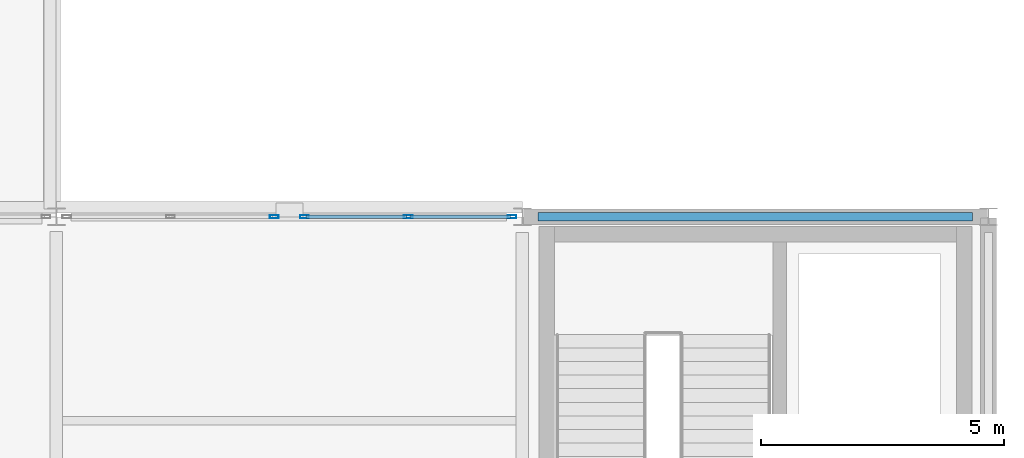
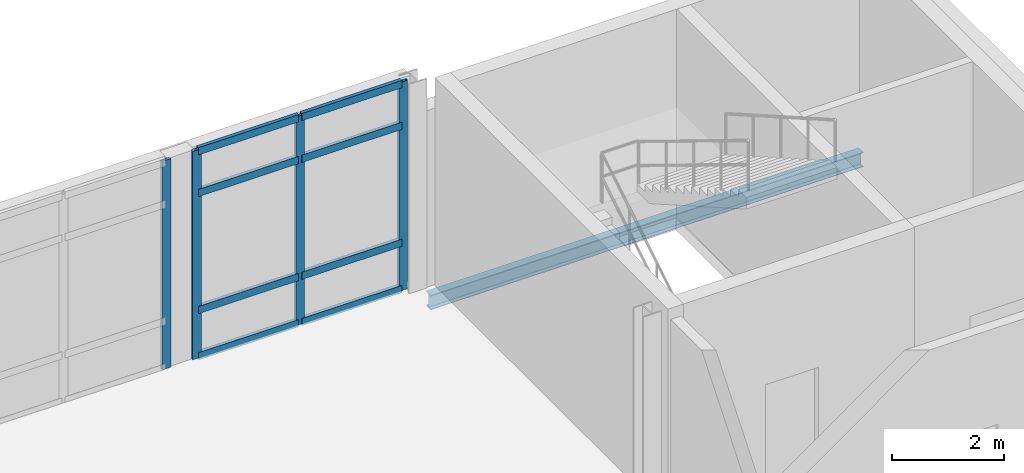
# One storey, part 30 of 52: 12 members, 1 beam, 2 elements without a shape of their own.
"""IFC4 building model written with IfcOpenShell, lengths in metres."""

from ifc_helpers import new_model, si_unit, direction, frame, origin, origin_2d, place, context, subcontext, project, spatial, hollow_rectangle, i_section, extrude, material, layer, layer_set, material_profile, profile_set, type_object, element, aggregate, save


model = new_model("IFC4")

# Units and contexts
model_context = context("Model", 3, precision=1e-05, world=origin(), true_north=direction((0.0, 1.0)))
body_context = subcontext(model_context, "Body", "Model", "MODEL_VIEW")
ifc_project = project(units=[si_unit("LENGTHUNIT", "METRE"), si_unit("AREAUNIT", "SQUARE_METRE"), si_unit("VOLUMEUNIT", "CUBIC_METRE"), si_unit("PLANEANGLEUNIT", "RADIAN"), si_unit("MASSUNIT", "GRAM", prefix="KILO")], contexts=[model_context])

# Site, building, storey
site_placement = place(None, origin())
site = spatial("IfcSite", under=ifc_project, at=site_placement, CompositionType="ELEMENT")
building_placement = place(site_placement, origin())
building = spatial("IfcBuilding", under=site, at=building_placement, Name="Lornevale Opera House", CompositionType="ELEMENT")
storey_placement = place(building_placement, frame((0.0, 0.0, 15.0)))
storey = spatial("IfcBuildingStorey", under=building, at=storey_placement, Name="L04", CompositionType="ELEMENT", Elevation=15.0)

# Curtain wall, member
ifc_material_1 = material(Name="Anodized Oxide-Green Aluminium Framing", Category="aluminium")
ifc_layer = layer(ifc_material_1, 0.18505859375)
ifc_layer_set = layer_set([ifc_layer], Name="Anodized Oxide-Green Aluminium Framing")
curtain_wall_type = type_object("IfcCurtainWallType", Name="Conservatory Curtain Wall M2100", PredefinedType="NOTDEFINED", material=ifc_layer_set)
curtain_wall_1_placement = place(storey_placement, origin())
curtain_wall_1 = element("IfcCurtainWall", 1, at=curtain_wall_1_placement, inside=storey, type_object=curtain_wall_type, Name="Conservatory Curtain Wall M2100 CW-159", PredefinedType="NOTDEFINED")
ifc_material_profile_1 = material_profile(ifc_material_1, hollow_rectangle(XDim=0.06494140625, YDim=0.179931640625, WallThickness=0.0048828125, at=origin_2d()), Name="ALU65x180x5")
ifc_profile_set_1 = profile_set([ifc_material_profile_1], Name="Anodized Oxide-Green Aluminium Framing")
member_type_1 = type_object("IfcMemberType", Name="Curtain Wall Mullion 65x180", PredefinedType="MULLION", material=ifc_profile_set_1)
member_1_placement = place(storey_placement, frame((129.28759765625, 75.60009765625, 0.0), z_axis=(0.0, 0.0, 1.0), x_axis=(0.0, 1.0, 0.0)))
member_1 = element("IfcMember", 2, at=member_1_placement, type_object=member_type_1, Name="Curtain Wall Mullion 65x180 CW3257", PredefinedType="MULLION", context=body_context, shape_type="SweptSolid", body=[
    extrude(hollow_rectangle(XDim=0.06494140625, YDim=0.179931640625, WallThickness=0.0048828125, at=origin_2d()), origin(), (0.0, 0.0, 1.0), 4.56005859375),
])
aggregate(curtain_wall_1, [member_1])

# Curtain wall, members
curtain_wall_2_placement = place(storey_placement, origin())
curtain_wall_2 = element("IfcCurtainWall", 3, at=curtain_wall_2_placement, inside=storey, type_object=curtain_wall_type, Name="Conservatory Curtain Wall M2100 CW-160", PredefinedType="NOTDEFINED")
member_2_placement = place(storey_placement, frame((129.91259765625, 75.60009765625, 0.0), z_axis=(0.0, 0.0, 1.0), x_axis=(0.0, 1.0, 0.0)))
member_2 = element("IfcMember", 4, at=member_2_placement, type_object=member_type_1, Name="Curtain Wall Mullion 65x180 CW3272", PredefinedType="MULLION", context=body_context, shape_type="SweptSolid", body=[
    extrude(hollow_rectangle(XDim=0.06494140625, YDim=0.179931640625, WallThickness=0.0048828125, at=origin_2d()), origin(), (0.0, 0.0, 1.0), 4.56005859375),
])
member_3_placement = place(storey_placement, frame((132.048583984375, 75.60009765625, 0.0), z_axis=(0.0, 0.0, 1.0), x_axis=(0.0, 1.0, 0.0)))
member_3 = element("IfcMember", 5, at=member_3_placement, type_object=member_type_1, Name="Curtain Wall Mullion 65x180 CW3273", PredefinedType="MULLION", context=body_context, shape_type="SweptSolid", body=[
    extrude(hollow_rectangle(XDim=0.06494140625, YDim=0.179931640625, WallThickness=0.0048828125, at=origin_2d()), origin(), (0.0, 0.0, 1.0), 4.56005859375),
])
member_4_placement = place(storey_placement, frame((134.18505859375, 75.60009765625, 0.0), z_axis=(0.0, 0.0, 1.0), x_axis=(0.0, 1.0, 0.0)))
member_4 = element("IfcMember", 6, at=member_4_placement, type_object=member_type_1, Name="Curtain Wall Mullion 65x180 CW3274", PredefinedType="MULLION", context=body_context, shape_type="SweptSolid", body=[
    extrude(hollow_rectangle(XDim=0.06494140625, YDim=0.179931640625, WallThickness=0.0048828125, at=origin_2d()), origin(), (0.0, 0.0, 1.0), 4.56005859375),
])
ifc_material_profile_2 = material_profile(ifc_material_1, hollow_rectangle(XDim=0.074951171875, YDim=0.159912109375, WallThickness=0.0048828125, at=origin_2d()), Name="ALU75x160x5")
ifc_profile_set_2 = profile_set([ifc_material_profile_2], Name="Anodized Oxide-Green Aluminium Framing")
member_type_2 = type_object("IfcMemberType", Name="Curtain Wall Transom 75x160", PredefinedType="USERDEFINED", material=ifc_profile_set_2)
member_5_placement = place(storey_placement, frame((129.945068359375, 75.60009765625, 0.03759765625), z_axis=(1.0, 0.0, 0.0), x_axis=(0.0, 1.0, 0.0)))
member_5 = element("IfcMember", 7, at=member_5_placement, type_object=member_type_2, Name="Curtain Wall Transom 75x160 CW3275", ObjectType="TRANSOM", PredefinedType="USERDEFINED", context=body_context, shape_type="SweptSolid", body=[
    extrude(hollow_rectangle(XDim=0.074951171875, YDim=0.159912109375, WallThickness=0.0048828125, at=origin_2d()), origin(), (0.0, 0.0, 1.0), 2.071044921875),
])
member_6_placement = place(storey_placement, frame((129.945068359375, 75.60009765625, 1.050048828125), z_axis=(1.0, 0.0, 0.0), x_axis=(0.0, 1.0, 0.0)))
member_6 = element("IfcMember", 8, at=member_6_placement, type_object=member_type_2, Name="Curtain Wall Transom 75x160 CW3276", ObjectType="TRANSOM", PredefinedType="USERDEFINED", context=body_context, shape_type="SweptSolid", body=[
    extrude(hollow_rectangle(XDim=0.074951171875, YDim=0.159912109375, WallThickness=0.0048828125, at=origin_2d()), origin(), (0.0, 0.0, 1.0), 2.071044921875),
])
member_7_placement = place(storey_placement, frame((129.945068359375, 75.60009765625, 3.610107421875), z_axis=(1.0, 0.0, 0.0), x_axis=(0.0, 1.0, 0.0)))
member_7 = element("IfcMember", 9, at=member_7_placement, type_object=member_type_2, Name="Curtain Wall Transom 75x160 CW3277", ObjectType="TRANSOM", PredefinedType="USERDEFINED", context=body_context, shape_type="SweptSolid", body=[
    extrude(hollow_rectangle(XDim=0.074951171875, YDim=0.159912109375, WallThickness=0.0048828125, at=origin_2d()), origin(), (0.0, 0.0, 1.0), 2.071044921875),
])
member_8_placement = place(storey_placement, frame((129.945068359375, 75.60009765625, 4.5224609375), z_axis=(1.0, 0.0, 0.0), x_axis=(0.0, 1.0, 0.0)))
member_8 = element("IfcMember", 10, at=member_8_placement, type_object=member_type_2, Name="Curtain Wall Transom 75x160 CW3278", ObjectType="TRANSOM", PredefinedType="USERDEFINED", context=body_context, shape_type="SweptSolid", body=[
    extrude(hollow_rectangle(XDim=0.074951171875, YDim=0.159912109375, WallThickness=0.0048828125, at=origin_2d()), origin(), (0.0, 0.0, 1.0), 2.071044921875),
])
member_9_placement = place(storey_placement, frame((132.081298828125, 75.60009765625, 0.03759765625), z_axis=(1.0, 0.0, 0.0), x_axis=(0.0, 1.0, 0.0)))
member_9 = element("IfcMember", 11, at=member_9_placement, type_object=member_type_2, Name="Curtain Wall Transom 75x160 CW3282", ObjectType="TRANSOM", PredefinedType="USERDEFINED", context=body_context, shape_type="SweptSolid", body=[
    extrude(hollow_rectangle(XDim=0.074951171875, YDim=0.159912109375, WallThickness=0.0048828125, at=origin_2d()), origin(), (0.0, 0.0, 1.0), 2.0712890625),
])
member_10_placement = place(storey_placement, frame((132.081298828125, 75.60009765625, 1.050048828125), z_axis=(1.0, 0.0, 0.0), x_axis=(0.0, 1.0, 0.0)))
member_10 = element("IfcMember", 12, at=member_10_placement, type_object=member_type_2, Name="Curtain Wall Transom 75x160 CW3283", ObjectType="TRANSOM", PredefinedType="USERDEFINED", context=body_context, shape_type="SweptSolid", body=[
    extrude(hollow_rectangle(XDim=0.074951171875, YDim=0.159912109375, WallThickness=0.0048828125, at=origin_2d()), origin(), (0.0, 0.0, 1.0), 2.0712890625),
])
member_11_placement = place(storey_placement, frame((132.081298828125, 75.60009765625, 3.610107421875), z_axis=(1.0, 0.0, 0.0), x_axis=(0.0, 1.0, 0.0)))
member_11 = element("IfcMember", 13, at=member_11_placement, type_object=member_type_2, Name="Curtain Wall Transom 75x160 CW3284", ObjectType="TRANSOM", PredefinedType="USERDEFINED", context=body_context, shape_type="SweptSolid", body=[
    extrude(hollow_rectangle(XDim=0.074951171875, YDim=0.159912109375, WallThickness=0.0048828125, at=origin_2d()), origin(), (0.0, 0.0, 1.0), 2.0712890625),
])
member_12_placement = place(storey_placement, frame((132.081298828125, 75.60009765625, 4.5224609375), z_axis=(1.0, 0.0, 0.0), x_axis=(0.0, 1.0, 0.0)))
member_12 = element("IfcMember", 14, at=member_12_placement, type_object=member_type_2, Name="Curtain Wall Transom 75x160 CW3285", ObjectType="TRANSOM", PredefinedType="USERDEFINED", context=body_context, shape_type="SweptSolid", body=[
    extrude(hollow_rectangle(XDim=0.074951171875, YDim=0.159912109375, WallThickness=0.0048828125, at=origin_2d()), origin(), (0.0, 0.0, 1.0), 2.0712890625),
])
aggregate(curtain_wall_2, [member_2, member_3, member_4, member_5, member_6, member_7, member_8, member_9, member_10, member_11, member_12])

# Beam
ifc_material_2 = material(Name="Structural Steel CSA G40.21 Grade 350W (350 MPa)", Category="steel")
ifc_material_profile_3 = material_profile(ifc_material_2, i_section(OverallWidth=0.1669921875, OverallDepth=0.31689453125, WebThickness=0.007568359375, FlangeThickness=0.01318359375, at=origin_2d()), Name="W310x52")
ifc_profile_set_3 = profile_set([ifc_material_profile_3], Name="Structural Steel CSA G40.21 Grade 350W (350 MPa)")
beam_type = type_object("IfcBeamType", Name="Steel Spandrel Beam W310x52", PredefinedType="SPANDREL", material=ifc_profile_set_3)
beam_placement = place(storey_placement, frame((134.72509765625, 75.60009765625, -0.43359375), z_axis=(1.0, 0.0, 0.0), x_axis=(0.0, 1.0, 0.0)))
element("IfcBeam", 15, at=beam_placement, inside=storey, type_object=beam_type, Name="Steel Spandrel Beam W310x52 2540", PredefinedType="SPANDREL", context=body_context, shape_type="SweptSolid", body=[
    extrude(i_section(OverallWidth=0.1669921875, OverallDepth=0.31689453125, WebThickness=0.007568359375, FlangeThickness=0.01318359375, at=origin_2d()), origin(), (0.0, 0.0, 1.0), 8.949951171875),
])

save(model, "model.ifc")
